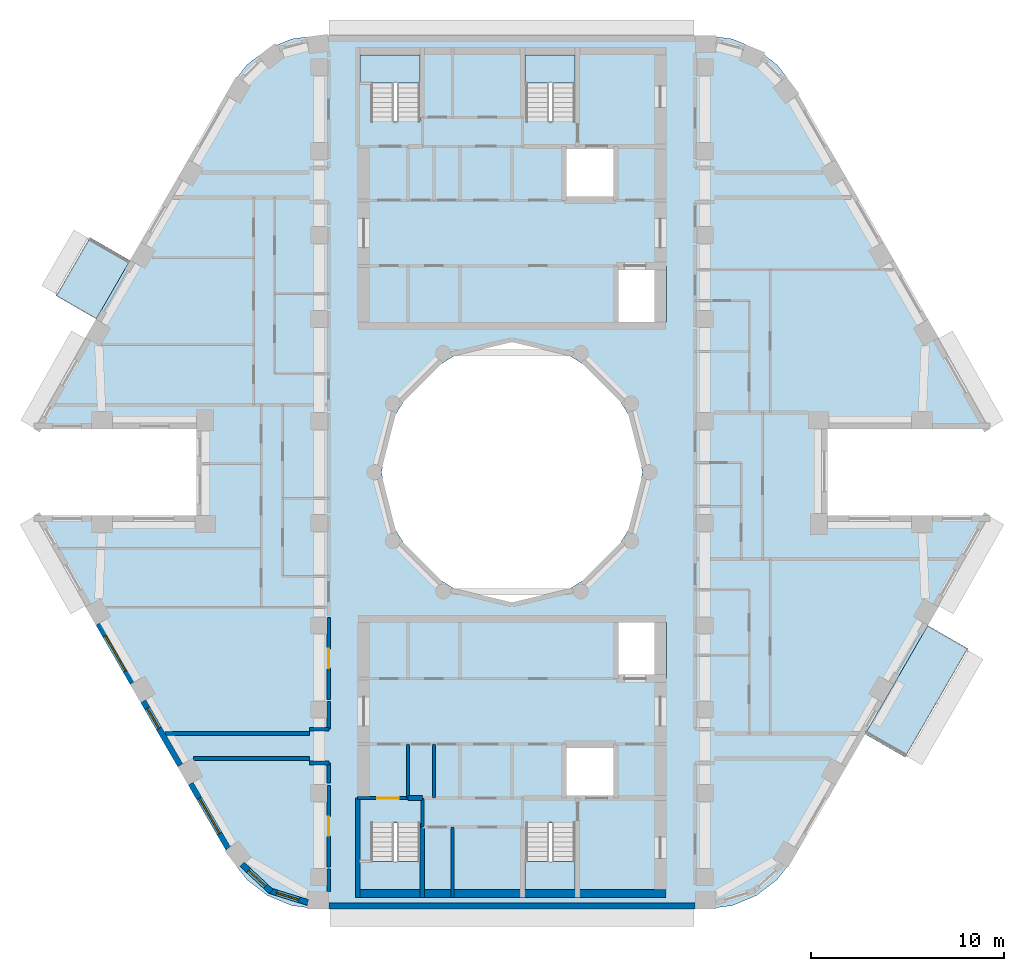
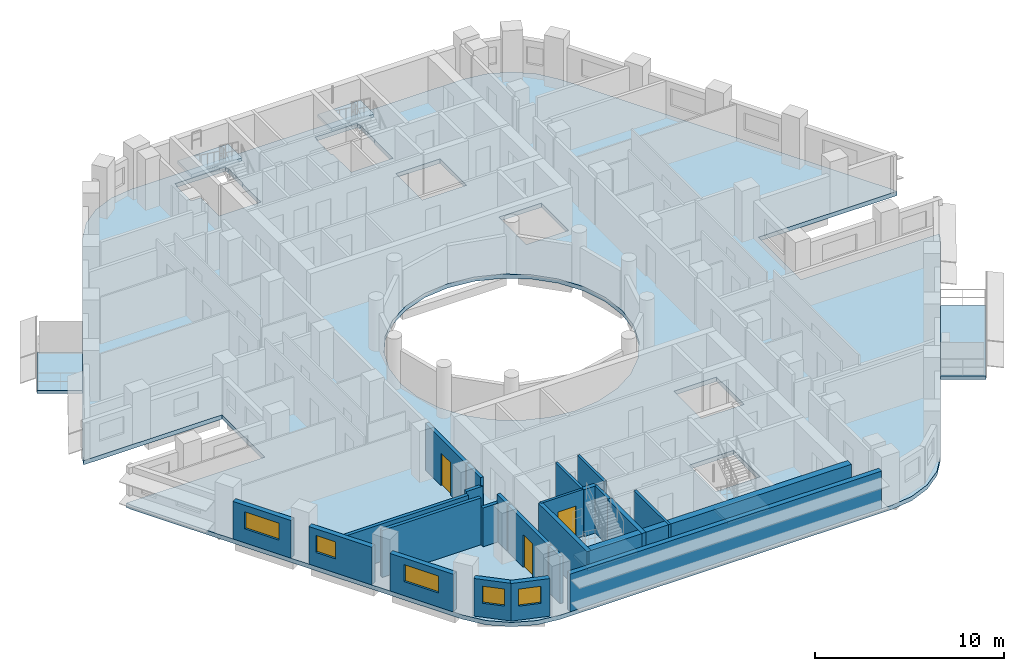
# One storey, part 2 of 14: 24 walls, 7 slabs, 5 windows, 3 doors, 8 openings, 4 elements without a shape of their own.
"""IFC4 building model written with IfcOpenShell, lengths in metres."""

from ifc_helpers import new_model, si_unit, direction, frame, frame_2d, origin, place, context, subcontext, project, spatial, polyline, rectangle, outline, extrude, material, layer, layer_set, type_object, element, fill, aggregate, save


model = new_model("IFC4")

# Units and contexts
model_context = context("Model", 3, precision=1e-05, world=origin(), true_north=direction((0.0, 1.0)))
body_context = subcontext(model_context, "Body", "Model", "MODEL_VIEW")
ifc_project = project(units=[si_unit("LENGTHUNIT", "METRE"), si_unit("AREAUNIT", "SQUARE_METRE"), si_unit("VOLUMEUNIT", "CUBIC_METRE"), si_unit("PLANEANGLEUNIT", "RADIAN"), si_unit("MASSUNIT", "GRAM", prefix="KILO")], contexts=[model_context])

# Site, building, storey
site_placement = place(None, origin())
site = spatial("IfcSite", under=ifc_project, at=site_placement, CompositionType="ELEMENT")
building_placement = place(site_placement, origin())
building = spatial("IfcBuilding", under=site, at=building_placement, Name="Nakaniwa Court", CompositionType="ELEMENT")
storey_placement = place(building_placement, frame((0.0, 0.0, 265.800048828125)))
storey = spatial("IfcBuildingStorey", under=building, at=storey_placement, Name="L70", CompositionType="ELEMENT", Elevation=265.800048828125)

# Slabs
ifc_material_1 = material(Name="Charcoal ceramic paver")
ifc_layer_1 = layer(ifc_material_1, 0.02, Name="Ceramic paver")
ifc_material_2 = material(Name="Cement sand screed")
ifc_layer_2 = layer(ifc_material_2, 0.03, Name="Falls screed")
ifc_material_3 = material(Name="Concrete C40/50", Category="concrete")
ifc_layer_3 = layer(ifc_material_3, 0.15, Name="Balcony slab")
ifc_layer_set_1 = layer_set([ifc_layer_1, ifc_layer_2, ifc_layer_3], Name="Concrete C40/50 balcony slab with ceramic paver finish")
slab_type_1 = type_object("IfcSlabType", Name="Balcony slab 200", PredefinedType="FLOOR", material=ifc_layer_set_1)
slab_1_placement = place(storey_placement, frame((0.0, 0.0, -0.25)))
element("IfcSlab", 1, at=slab_1_placement, inside=storey, type_object=slab_type_1, Name="L70 balcony 01", PredefinedType="FLOOR", context=body_context, shape_type="SweptSolid", body=[
    extrude(outline(polyline([(60.185791015625, 90.981201171875), (58.436279296875, 87.95068359375), (56.35791015625, 89.15087890625), (58.107421875, 92.18115234375), (60.185791015625, 90.981201171875)])), origin(), (0.0, 0.0, 1.0), 0.199951171875),
])
slab_2_placement = place(storey_placement, frame((0.0, 0.0, -0.25)))
element("IfcSlab", 2, at=slab_2_placement, inside=storey, type_object=slab_type_1, Name="L70 balcony 02", PredefinedType="FLOOR", context=body_context, shape_type="SweptSolid", body=[
    extrude(outline(polyline([(98.314208984375, 66.4208984375), (101.563720703125, 72.04931640625), (103.64208984375, 70.84912109375), (100.392578125, 65.220703125), (98.314208984375, 66.4208984375)])), origin(), (0.0, 0.0, 1.0), 0.199951171875),
])
ifc_material_4 = material(Name="Concrete C80/100", Category="concrete")
ifc_layer_4 = layer(ifc_material_4, 0.27490234375)
ifc_layer_set_2 = layer_set([ifc_layer_4], Name="Concrete C80/100")
slab_type_2 = type_object("IfcSlabType", Name="Concrete C80/100 post tensioned floor slab 275", PredefinedType="FLOOR", material=ifc_layer_set_2)
slab_3_placement = place(storey_placement, frame((0.0, 0.0, -0.275146484375)))
element("IfcSlab", 3, at=slab_3_placement, inside=storey, type_object=slab_type_2, Name="FLOOR SLAB", PredefinedType="FLOOR", context=body_context, shape_type="SweptSolid", body=[
    extrude(outline(polyline([(96.349609375, 82.25), (104.7978515625, 82.25), (104.65283203125, 82.60009765625), (94.578125, 100.050048828125), (93.751708984375, 101.126953125), (92.6748046875, 101.953369140625), (91.420654296875, 102.472900390625), (90.07470703125, 102.64990234375), (69.92529296875, 102.64990234375), (68.579345703125, 102.472900390625), (67.3251953125, 101.953369140625), (66.248291015625, 101.126953125), (65.421875, 100.050048828125), (55.34716796875, 82.60009765625), (55.2021484375, 82.25), (63.650390625, 82.25), (63.650390625, 77.75), (55.2021484375, 77.75), (55.34716796875, 77.39990234375), (65.421875, 59.949951171875), (66.248291015625, 58.873046875), (67.3251953125, 58.046630859375), (68.579345703125, 57.527099609375), (69.92529296875, 57.35009765625), (90.07470703125, 57.35009765625), (91.420654296875, 57.527099609375), (92.6748046875, 58.046630859375), (93.751708984375, 58.873046875), (94.578125, 59.949951171875), (104.65283203125, 77.39990234375), (104.7978515625, 77.75), (96.349609375, 77.75), (96.349609375, 82.25)]), holes=[polyline([(81.501953125, 86.580810546875), (80.0, 86.75), (78.498046875, 86.580810546875), (77.0712890625, 86.08154296875), (75.79150390625, 85.27734375), (74.72265625, 84.20849609375), (73.91845703125, 82.9287109375), (73.419189453125, 81.501953125), (73.25, 80.0), (73.419189453125, 78.498046875), (73.91845703125, 77.0712890625), (74.72265625, 75.79150390625), (75.79150390625, 74.72265625), (77.0712890625, 73.91845703125), (78.498046875, 73.419189453125), (80.0, 73.25), (81.501953125, 73.419189453125), (82.9287109375, 73.91845703125), (84.20849609375, 74.72265625), (85.27734375, 75.79150390625), (86.08154296875, 77.0712890625), (86.580810546875, 78.498046875), (86.75, 80.0), (86.580810546875, 81.501953125), (86.08154296875, 82.9287109375), (85.27734375, 84.20849609375), (84.20849609375, 85.27734375), (82.9287109375, 86.08154296875), (81.501953125, 86.580810546875)]), polyline([(72.675048828125, 61.81005859375), (72.675048828125, 59.864990234375), (72.0849609375, 59.864990234375), (72.0849609375, 58.31005859375), (72.125, 58.31005859375), (72.125, 58.074951171875), (75.22509765625, 58.074951171875), (75.22509765625, 58.31005859375), (75.264892578125, 58.31005859375), (75.264892578125, 59.864990234375), (75.22509765625, 59.864990234375), (75.22509765625, 61.81005859375), (72.675048828125, 61.81005859375)]), polyline([(83.27490234375, 61.81005859375), (80.72509765625, 61.81005859375), (80.72509765625, 59.864990234375), (80.635009765625, 59.864990234375), (80.635009765625, 58.31005859375), (80.675048828125, 58.31005859375), (80.675048828125, 58.074951171875), (83.27490234375, 58.074951171875), (83.27490234375, 58.31005859375), (83.31494140625, 58.31005859375), (83.31494140625, 59.864990234375), (83.27490234375, 59.864990234375), (83.27490234375, 61.81005859375)]), polyline([(75.264892578125, 101.68994140625), (75.22509765625, 101.68994140625), (75.22509765625, 101.925048828125), (72.125, 101.925048828125), (72.125, 101.68994140625), (72.0849609375, 101.68994140625), (72.0849609375, 100.135009765625), (72.675048828125, 100.135009765625), (72.675048828125, 98.18994140625), (75.22509765625, 98.18994140625), (75.22509765625, 100.135009765625), (75.264892578125, 100.135009765625), (75.264892578125, 101.68994140625)]), polyline([(83.31494140625, 100.135009765625), (83.31494140625, 101.68994140625), (83.27490234375, 101.68994140625), (83.27490234375, 101.925048828125), (80.675048828125, 101.925048828125), (80.675048828125, 101.68994140625), (80.635009765625, 101.68994140625), (80.635009765625, 100.135009765625), (80.72509765625, 100.135009765625), (80.72509765625, 98.18994140625), (83.27490234375, 98.18994140625), (83.27490234375, 100.135009765625), (83.31494140625, 100.135009765625)]), polyline([(85.39990234375, 65.89990234375), (82.699951171875, 65.89990234375), (82.699951171875, 63.10009765625), (85.39990234375, 63.10009765625), (85.39990234375, 65.89990234375)]), polyline([(88.0, 72.199951171875), (85.39990234375, 72.199951171875), (85.39990234375, 69.300048828125), (88.0, 69.300048828125), (88.0, 72.199951171875)]), polyline([(85.39990234375, 90.699951171875), (85.39990234375, 87.800048828125), (88.0, 87.800048828125), (88.0, 90.699951171875), (85.39990234375, 90.699951171875)]), polyline([(85.39990234375, 96.89990234375), (82.699951171875, 96.89990234375), (82.699951171875, 94.10009765625), (85.39990234375, 94.10009765625), (85.39990234375, 96.89990234375)])]), origin(), (0.0, 0.0, 1.0), 0.275146484375),
])

# Stair, slab
stair_type = type_object("IfcStairType", Name="Dog leg stair 1200 wide 18 risers", PredefinedType="HALF_TURN_STAIR", material=ifc_material_4)
stair_1_placement = place(storey_placement, origin())
stair_1 = element("IfcStair", 4, at=stair_1_placement, inside=storey, type_object=stair_type, Name="L70 Stair ST1", PredefinedType="HALF_TURN_STAIR")
ifc_layer_5 = layer(ifc_material_4, 0.199951171875)
ifc_layer_set_3 = layer_set([ifc_layer_5], Name="Concrete C80/100")
slab_type_3 = type_object("IfcSlabType", Name="Stair landing concrete", PredefinedType="LANDING", material=ifc_layer_set_3)
slab_4_placement = place(storey_placement, frame((0.0, 0.0, 1.449951171875)))
slab_4 = element("IfcSlab", 5, at=slab_4_placement, type_object=slab_type_3, Name="ST1 landing 1", PredefinedType="LANDING", context=body_context, shape_type="SweptSolid", body=[
    extrude(outline(polyline([(75.22509765625, 100.175048828125), (75.22509765625, 101.64990234375), (72.125, 101.64990234375), (72.125, 100.175048828125), (75.22509765625, 100.175048828125)])), origin(), (0.0, 0.0, 1.0), 0.199951171875),
])
aggregate(stair_1, [slab_4])

stair_2_placement = place(storey_placement, origin())
stair_2 = element("IfcStair", 6, at=stair_2_placement, inside=storey, type_object=stair_type, Name="L70 Stair ST2", PredefinedType="HALF_TURN_STAIR")
slab_5_placement = place(storey_placement, frame((0.0, 0.0, 1.449951171875)))
slab_5 = element("IfcSlab", 7, at=slab_5_placement, type_object=slab_type_3, Name="ST2 landing 1", PredefinedType="LANDING", context=body_context, shape_type="SweptSolid", body=[
    extrude(outline(polyline([(83.27490234375, 100.175048828125), (83.27490234375, 101.64990234375), (80.675048828125, 101.64990234375), (80.675048828125, 100.175048828125), (83.27490234375, 100.175048828125)])), origin(), (0.0, 0.0, 1.0), 0.199951171875),
])
aggregate(stair_2, [slab_5])

stair_3_placement = place(storey_placement, origin())
stair_3 = element("IfcStair", 8, at=stair_3_placement, inside=storey, type_object=stair_type, Name="L70 Stair ST3", PredefinedType="HALF_TURN_STAIR")
slab_6_placement = place(storey_placement, frame((0.0, 0.0, 1.449951171875)))
slab_6 = element("IfcSlab", 9, at=slab_6_placement, type_object=slab_type_3, Name="ST3 landing 1", PredefinedType="LANDING", context=body_context, shape_type="SweptSolid", body=[
    extrude(outline(polyline([(75.22509765625, 58.35009765625), (75.22509765625, 59.824951171875), (72.125, 59.824951171875), (72.125, 58.35009765625), (75.22509765625, 58.35009765625)])), origin(), (0.0, 0.0, 1.0), 0.199951171875),
])
aggregate(stair_3, [slab_6])

stair_4_placement = place(storey_placement, origin())
stair_4 = element("IfcStair", 10, at=stair_4_placement, inside=storey, type_object=stair_type, Name="L70 Stair ST4", PredefinedType="HALF_TURN_STAIR")
slab_7_placement = place(storey_placement, frame((0.0, 0.0, 1.449951171875)))
slab_7 = element("IfcSlab", 11, at=slab_7_placement, type_object=slab_type_3, Name="ST4 landing 1", PredefinedType="LANDING", context=body_context, shape_type="SweptSolid", body=[
    extrude(outline(polyline([(83.27490234375, 58.35009765625), (83.27490234375, 59.824951171875), (80.675048828125, 59.824951171875), (80.675048828125, 58.35009765625), (83.27490234375, 58.35009765625)])), origin(), (0.0, 0.0, 1.0), 0.199951171875),
])
aggregate(stair_4, [slab_7])

# Walls
ifc_material_5 = material(Name="Acoustic double stud partition")
ifc_layer_6 = layer(ifc_material_5, 0.199951171875)
ifc_layer_set_4 = layer_set([ifc_layer_6], Name="Acoustic double stud partition")
wall_type_1 = type_object("IfcWallType", Name="Acoustic double stud partition 200", PredefinedType="PARTITIONING", material=ifc_layer_set_4)
wall_1_placement = place(storey_placement, frame((69.5, 66.675048828125, 0.0), z_axis=(0.0, 0.0, 1.0), x_axis=(1.0, 0.0, 0.0)))
element("IfcWall", 12, at=wall_1_placement, inside=storey, type_object=wall_type_1, Name="Partition PW-076", PredefinedType="PARTITIONING", context=body_context, shape_type="SweptSolid", body=[
    extrude(rectangle(XDim=1.0, YDim=0.199951171875, at=frame_2d((0.5, 0.0))), origin(), (0.0, 0.0, 1.0), 2.5048828125),
])
wall_2_placement = place(storey_placement, frame((62.015380859375, 66.449951171875, 0.0), z_axis=(0.0, 0.0, 1.0), x_axis=(1.0, 0.0, 0.0)))
element("IfcWall", 13, at=wall_2_placement, inside=storey, type_object=wall_type_1, Name="Partition PW-078", PredefinedType="PARTITIONING", context=body_context, shape_type="SweptSolid", body=[
    extrude(rectangle(XDim=7.484619140625, YDim=0.199951171875, at=frame_2d((3.7421875, 0.0))), origin(), (0.0, 0.0, 1.0), 2.405029296875),
])
wall_3_placement = place(storey_placement, frame((63.47900390625, 65.14990234375, 0.0), z_axis=(0.0, 0.0, 1.0), x_axis=(1.0, 0.0, 0.0)))
element("IfcWall", 14, at=wall_3_placement, inside=storey, type_object=wall_type_1, Name="Partition PW-080", PredefinedType="PARTITIONING", context=body_context, shape_type="SweptSolid", body=[
    extrude(rectangle(XDim=6.02099609375, YDim=0.199951171875, at=frame_2d((3.010498046875, 0.0))), origin(), (0.0, 0.0, 1.0), 3.02490234375),
])
wall_4_placement = place(storey_placement, frame((69.5, 64.925048828125, 0.0), z_axis=(0.0, 0.0, 1.0), x_axis=(1.0, 0.0, 0.0)))
element("IfcWall", 15, at=wall_4_placement, inside=storey, type_object=wall_type_1, Name="Partition PW-082", PredefinedType="PARTITIONING", context=body_context, shape_type="SweptSolid", body=[
    extrude(rectangle(XDim=1.0, YDim=0.199951171875, at=frame_2d((0.5, 0.0))), origin(), (0.0, 0.0, 1.0), 2.5048828125),
])
wall_5_placement = place(storey_placement, frame((70.5, 58.26708984375, 0.0), z_axis=(0.0, 0.0, 1.0), x_axis=(0.0, 1.0, 0.0)))
element("IfcWall", 16, at=wall_5_placement, inside=storey, type_object=wall_type_1, Name="Partition PW-084", PredefinedType="PARTITIONING", context=body_context, shape_type="SweptSolid", body=[
    extrude(rectangle(XDim=1.14599609375, YDim=0.199951171875, at=frame_2d((0.572998046875, 0.0))), origin(), (0.0, 0.0, 1.0), 3.02490234375),
])

# Wall, opening, door
wall_6_placement = place(storey_placement, frame((70.5, 59.527099609375, 0.0), z_axis=(0.0, 0.0, 1.0), x_axis=(0.0, 1.0, 0.0)))
wall_6 = element("IfcWall", 17, at=wall_6_placement, inside=storey, type_object=wall_type_1, Name="Partition PW-085", PredefinedType="PARTITIONING", context=body_context, shape_type="SweptSolid", body=[
    extrude(rectangle(XDim=4.23583984375, YDim=0.199951171875, at=frame_2d((2.117919921875, 0.0))), origin(), (0.0, 0.0, 1.0), 3.02490234375),
])
opening_1_placement = place(wall_6_placement, frame((1.617919921875, 0.0, 0.0)))
opening_1 = element("IfcOpeningElement", 18, at=opening_1_placement, cuts=wall_6, Name="Opening D-02-06", PredefinedType="OPENING", context=body_context, shape_type="SweptSolid", body=[
    extrude(rectangle(XDim=1.0, YDim=2.10009765625, at=frame_2d((0.5, 1.050048828125))), frame((0.0, 0.10986328125, 0.0), z_axis=(0.0, -1.0, 0.0), x_axis=(1.0, 0.0, 0.0)), (0.0, 0.0, 1.0), 0.219970703125),
])
ifc_material_6 = material(Name="Solid core timber door set, black veneer", Category="wood")
door_type_1 = type_object("IfcDoorType", Name="Internal door 1000", OperationType="NOTDEFINED", PredefinedType="DOOR", material=ifc_material_6)
door_1_placement = place(opening_1_placement, origin())
door_1 = element("IfcDoor", 19, at=door_1_placement, inside=storey, type_object=door_type_1, Name="Door D-02-06 L70-058", OperationType="SINGLE_SWING_LEFT", OverallHeight=2.10009765625, OverallWidth=1.0, PredefinedType="DOOR", context=body_context, shape_type="SweptSolid", body=[
    extrude(rectangle(XDim=1.0, YDim=2.10009765625, at=frame_2d((0.5, 1.050048828125))), frame((0.0, 0.02490234375, 0.0), z_axis=(0.0, -1.0, 0.0), x_axis=(1.0, 0.0, 0.0)), (0.0, 0.0, 1.0), 0.050048828125),
])
fill(opening_1, door_1)

# Walls
wall_7_placement = place(storey_placement, frame((70.5, 63.876953125, 0.0), z_axis=(0.0, 0.0, 1.0), x_axis=(0.0, 1.0, 0.0)))
element("IfcWall", 20, at=wall_7_placement, inside=storey, type_object=wall_type_1, Name="Partition PW-086", PredefinedType="PARTITIONING", context=body_context, shape_type="SweptSolid", body=[
    extrude(rectangle(XDim=1.051025390625, YDim=0.199951171875, at=frame_2d((0.525390625, 0.0))), origin(), (0.0, 0.0, 1.0), 3.02490234375),
])
wall_8_placement = place(storey_placement, frame((70.5, 66.672119140625, 0.0), z_axis=(0.0, 0.0, 1.0), x_axis=(0.0, 1.0, 0.0)))
element("IfcWall", 21, at=wall_8_placement, inside=storey, type_object=wall_type_1, Name="Partition PW-087", PredefinedType="PARTITIONING", context=body_context, shape_type="SweptSolid", body=[
    extrude(rectangle(XDim=1.44091796875, YDim=0.199951171875, at=frame_2d((0.720458984375, 0.0))), origin(), (0.0, 0.0, 1.0), 3.02490234375),
])

# Wall, opening, door
wall_9_placement = place(storey_placement, frame((70.5, 68.22705078125, 0.0), z_axis=(0.0, 0.0, 1.0), x_axis=(0.0, 1.0, 0.0)))
wall_9 = element("IfcWall", 22, at=wall_9_placement, inside=storey, type_object=wall_type_1, Name="Partition PW-088", PredefinedType="PARTITIONING", context=body_context, shape_type="SweptSolid", body=[
    extrude(rectangle(XDim=4.23583984375, YDim=0.199951171875, at=frame_2d((2.117919921875, 0.0))), origin(), (0.0, 0.0, 1.0), 3.02490234375),
])
opening_2_placement = place(wall_9_placement, frame((1.617919921875, 0.0, 0.0)))
opening_2 = element("IfcOpeningElement", 23, at=opening_2_placement, cuts=wall_9, Name="Opening D-02-01", PredefinedType="OPENING", context=body_context, shape_type="SweptSolid", body=[
    extrude(rectangle(XDim=1.0, YDim=2.10009765625, at=frame_2d((0.5, 1.050048828125))), frame((0.0, 0.10986328125, 0.0), z_axis=(0.0, -1.0, 0.0), x_axis=(1.0, 0.0, 0.0)), (0.0, 0.0, 1.0), 0.219970703125),
])
door_2_placement = place(opening_2_placement, origin())
door_2 = element("IfcDoor", 24, at=door_2_placement, inside=storey, type_object=door_type_1, Name="Door D-02-01 L70-041", OperationType="SINGLE_SWING_RIGHT", OverallHeight=2.10009765625, OverallWidth=1.0, PredefinedType="DOOR", context=body_context, shape_type="SweptSolid", body=[
    extrude(rectangle(XDim=1.0, YDim=2.10009765625, at=frame_2d((0.5, 1.050048828125))), frame((0.0, 0.02490234375, 0.0), z_axis=(0.0, -1.0, 0.0), x_axis=(1.0, 0.0, 0.0)), (0.0, 0.0, 1.0), 0.050048828125),
])
fill(opening_2, door_2)

# Wall, opening, window
ifc_material_7 = material(Name="Charcoal ceramic cladding")
ifc_layer_7 = layer(ifc_material_7, 0.02, Name="Ceramic cladding")
ifc_material_8 = material(Name="Ventilated air cavity")
ifc_layer_8 = layer(ifc_material_8, 0.04, ventilated=True, Name="Ventilated cavity")
ifc_material_9 = material(Name="Mineral wool insulation")
ifc_layer_9 = layer(ifc_material_9, 0.1, Name="Insulation")
ifc_material_10 = material(Name="Cement bonded sheathing board")
ifc_layer_10 = layer(ifc_material_10, 0.012, Name="Sheathing")
ifc_material_11 = material(Name="Cold-formed galvanised stud frame with mineral wool infill")
ifc_layer_11 = layer(ifc_material_11, 0.1, Name="Stud frame")
ifc_material_12 = material(Name="Fire-rated gypsum plasterboard lining")
ifc_layer_12 = layer(ifc_material_12, 0.028, Name="Lining")
ifc_layer_set_5 = layer_set([ifc_layer_7, ifc_layer_8, ifc_layer_9, ifc_layer_10, ifc_layer_11, ifc_layer_12], Name="Charcoal ceramic faced external wall system")
wall_type_2 = type_object("IfcWallType", Name="Black ceramic faced external wall 300", PredefinedType="SOLIDWALL", material=ifc_layer_set_5)
wall_10_placement = place(storey_placement, frame((58.55419921875, 72.14501953125, 0.0), z_axis=(0.0, 0.0, 1.0), x_axis=(0.500010404316, -0.866019396766, 0.0)))
wall_10 = element("IfcWall", 25, at=wall_10_placement, inside=storey, type_object=wall_type_2, Name="L70 external wall 21", PredefinedType="SOLIDWALL", context=body_context, shape_type="SweptSolid", body=[
    extrude(rectangle(XDim=3.54736328125, YDim=0.300048828125, at=frame_2d((1.773681640625, 0.0))), origin(), (0.0, 0.0, 1.0), 2.425048828125),
])
opening_3_placement = place(wall_10_placement, frame((0.723388671875, 0.0, 0.89990234375)))
opening_3 = element("IfcOpeningElement", 26, at=opening_3_placement, cuts=wall_10, Name="Opening W7.21", PredefinedType="OPENING", context=body_context, shape_type="SweptSolid", body=[
    extrude(rectangle(XDim=2.10009765625, YDim=1.10009765625, at=frame_2d((1.050048828125, 0.550048828125))), frame((0.0, 0.159912109375, 0.0), z_axis=(0.0, -1.0, 0.0), x_axis=(1.0, 0.0, 0.0)), (0.0, 0.0, 1.0), 0.320068359375),
])
ifc_material_13 = material(Name="Black anodised aluminium frame with dark low-E laminated double glazing", Category="aluminium")
window_type_1 = type_object("IfcWindowType", Name="Dark glass window 2100x1100 sill 900", PartitioningType="SINGLE_PANEL", PredefinedType="WINDOW", material=ifc_material_13)
window_1_placement = place(opening_3_placement, origin())
window_1 = element("IfcWindow", 27, at=window_1_placement, inside=storey, type_object=window_type_1, Name="L70 habitable room window 21-0", OverallHeight=1.10009765625, OverallWidth=2.10009765625, PartitioningType="SINGLE_PANEL", PredefinedType="WINDOW", context=body_context, shape_type="SweptSolid", body=[
    extrude(rectangle(XDim=2.10009765625, YDim=1.10009765625, at=frame_2d((1.050048828125, 0.550048828125))), frame((0.0, 0.030029296875, 0.0), z_axis=(0.0, -1.0, 0.0), x_axis=(1.0, 0.0, 0.0)), (0.0, 0.0, 1.0), 0.06005859375),
])
fill(opening_3, window_1)

wall_11_placement = place(storey_placement, frame((60.873779296875, 68.12744140625, 0.0), z_axis=(0.0, 0.0, 1.0), x_axis=(0.499984490703, -0.866034357896, 0.0)))
wall_11 = element("IfcWall", 28, at=wall_11_placement, inside=storey, type_object=wall_type_2, Name="L70 external wall 22", PredefinedType="SOLIDWALL", context=body_context, shape_type="SweptSolid", body=[
    extrude(rectangle(XDim=3.84423828125, YDim=0.300048828125, at=frame_2d((1.922119140625, 0.0))), origin(), (0.0, 0.0, 1.0), 2.425048828125),
])
opening_4_placement = place(wall_11_placement, frame((0.429443359375, 0.0, 0.89990234375)))
opening_4 = element("IfcOpeningElement", 29, at=opening_4_placement, cuts=wall_11, Name="Opening W6.22", PredefinedType="OPENING", context=body_context, shape_type="SweptSolid", body=[
    extrude(rectangle(XDim=1.199951171875, YDim=1.10009765625, at=frame_2d((0.60009765625, 0.550048828125))), frame((0.0, 0.159912109375, 0.0), z_axis=(0.0, -1.0, 0.0), x_axis=(1.0, 0.0, 0.0)), (0.0, 0.0, 1.0), 0.320068359375),
])
window_type_2 = type_object("IfcWindowType", Name="Dark glass window 1200x1100 sill 900", PartitioningType="SINGLE_PANEL", PredefinedType="WINDOW", material=ifc_material_13)
window_2_placement = place(opening_4_placement, origin())
window_2 = element("IfcWindow", 30, at=window_2_placement, inside=storey, type_object=window_type_2, Name="L70 habitable room window 22-0", OverallHeight=1.10009765625, OverallWidth=1.199951171875, PartitioningType="SINGLE_PANEL", PredefinedType="WINDOW", context=body_context, shape_type="SweptSolid", body=[
    extrude(rectangle(XDim=1.199951171875, YDim=1.10009765625, at=frame_2d((0.60009765625, 0.550048828125))), frame((0.0, 0.030029296875, 0.0), z_axis=(0.0, -1.0, 0.0), x_axis=(1.0, 0.0, 0.0)), (0.0, 0.0, 1.0), 0.06005859375),
])
fill(opening_4, window_2)

wall_12_placement = place(storey_placement, frame((63.342041015625, 63.8525390625, 0.0), z_axis=(0.0, 0.0, 1.0), x_axis=(0.500011218404, -0.866018926739, 0.0)))
wall_12 = element("IfcWall", 31, at=wall_12_placement, inside=storey, type_object=wall_type_2, Name="L70 external wall 23", PredefinedType="SOLIDWALL", context=body_context, shape_type="SweptSolid", body=[
    extrude(rectangle(XDim=3.87890625, YDim=0.300048828125, at=frame_2d((1.939453125, 0.0))), origin(), (0.0, 0.0, 1.0), 2.425048828125),
])
opening_5_placement = place(wall_12_placement, frame((0.878173828125, 0.0, 0.89990234375)))
opening_5 = element("IfcOpeningElement", 32, at=opening_5_placement, cuts=wall_12, Name="Opening W7.23", PredefinedType="OPENING", context=body_context, shape_type="SweptSolid", body=[
    extrude(rectangle(XDim=2.10009765625, YDim=1.10009765625, at=frame_2d((1.050048828125, 0.550048828125))), frame((0.0, 0.159912109375, 0.0), z_axis=(0.0, -1.0, 0.0), x_axis=(1.0, 0.0, 0.0)), (0.0, 0.0, 1.0), 0.320068359375),
])
window_3_placement = place(opening_5_placement, origin())
window_3 = element("IfcWindow", 33, at=window_3_placement, inside=storey, type_object=window_type_1, Name="L70 habitable room window 23-0", OverallHeight=1.10009765625, OverallWidth=2.10009765625, PartitioningType="SINGLE_PANEL", PredefinedType="WINDOW", context=body_context, shape_type="SweptSolid", body=[
    extrude(rectangle(XDim=2.10009765625, YDim=1.10009765625, at=frame_2d((1.050048828125, 0.550048828125))), frame((0.0, 0.030029296875, 0.0), z_axis=(0.0, -1.0, 0.0), x_axis=(1.0, 0.0, 0.0)), (0.0, 0.0, 1.0), 0.06005859375),
])
fill(opening_5, window_3)

wall_13_placement = place(storey_placement, frame((65.99609375, 59.665283203125, 0.0), z_axis=(0.0, 0.0, 1.0), x_axis=(0.731942518471, -0.6813663843, 0.0)))
wall_13 = element("IfcWall", 34, at=wall_13_placement, inside=storey, type_object=wall_type_2, Name="L70 external wall 24", PredefinedType="SOLIDWALL", context=body_context, shape_type="SweptSolid", body=[
    extrude(rectangle(XDim=2.07568359375, YDim=0.300048828125, at=frame_2d((1.037841796875, 0.0))), origin(), (0.0, 0.0, 1.0), 2.425048828125),
])
opening_6_placement = place(wall_13_placement, frame((0.464111328125, 0.0, 0.89990234375)))
opening_6 = element("IfcOpeningElement", 35, at=opening_6_placement, cuts=wall_13, Name="Opening W6.24", PredefinedType="OPENING", context=body_context, shape_type="SweptSolid", body=[
    extrude(rectangle(XDim=1.199951171875, YDim=1.10009765625, at=frame_2d((0.60009765625, 0.550048828125))), frame((0.0, 0.159912109375, 0.0), z_axis=(0.0, -1.0, 0.0), x_axis=(1.0, 0.0, 0.0)), (0.0, 0.0, 1.0), 0.320068359375),
])
window_4_placement = place(opening_6_placement, origin())
window_4 = element("IfcWindow", 36, at=window_4_placement, inside=storey, type_object=window_type_2, Name="L70 habitable room window 24-0", OverallHeight=1.10009765625, OverallWidth=1.199951171875, PartitioningType="SINGLE_PANEL", PredefinedType="WINDOW", context=body_context, shape_type="SweptSolid", body=[
    extrude(rectangle(XDim=1.199951171875, YDim=1.10009765625, at=frame_2d((0.60009765625, 0.550048828125))), frame((0.0, 0.030029296875, 0.0), z_axis=(0.0, -1.0, 0.0), x_axis=(1.0, 0.0, 0.0)), (0.0, 0.0, 1.0), 0.06005859375),
])
fill(opening_6, window_4)

wall_14_placement = place(storey_placement, frame((67.406494140625, 58.3076171875, 0.0), z_axis=(0.0, 0.0, 1.0), x_axis=(0.954761314907, -0.297373219301, 0.0)))
wall_14 = element("IfcWall", 37, at=wall_14_placement, inside=storey, type_object=wall_type_2, Name="L70 external wall 25", PredefinedType="SOLIDWALL", context=body_context, shape_type="SweptSolid", body=[
    extrude(rectangle(XDim=2.096923828125, YDim=0.300048828125, at=frame_2d((1.04833984375, 0.0))), origin(), (0.0, 0.0, 1.0), 2.425048828125),
])
opening_7_placement = place(wall_14_placement, frame((0.409423828125, 0.0, 0.89990234375)))
opening_7 = element("IfcOpeningElement", 38, at=opening_7_placement, cuts=wall_14, Name="Opening W6.25", PredefinedType="OPENING", context=body_context, shape_type="SweptSolid", body=[
    extrude(rectangle(XDim=1.199951171875, YDim=1.10009765625, at=frame_2d((0.60009765625, 0.550048828125))), frame((0.0, 0.159912109375, 0.0), z_axis=(0.0, -1.0, 0.0), x_axis=(1.0, 0.0, 0.0)), (0.0, 0.0, 1.0), 0.320068359375),
])
window_5_placement = place(opening_7_placement, origin())
window_5 = element("IfcWindow", 39, at=window_5_placement, inside=storey, type_object=window_type_2, Name="L70 habitable room window 25-0", OverallHeight=1.10009765625, OverallWidth=1.199951171875, PartitioningType="SINGLE_PANEL", PredefinedType="WINDOW", context=body_context, shape_type="SweptSolid", body=[
    extrude(rectangle(XDim=1.199951171875, YDim=1.10009765625, at=frame_2d((0.60009765625, 0.550048828125))), frame((0.0, 0.030029296875, 0.0), z_axis=(0.0, -1.0, 0.0), x_axis=(1.0, 0.0, 0.0)), (0.0, 0.0, 1.0), 0.06005859375),
])
fill(opening_7, window_5)

# Walls
wall_15_placement = place(storey_placement, frame((70.500732421875, 57.5, 0.0), z_axis=(0.0, 0.0, 1.0), x_axis=(1.0, 0.0, 0.0)))
element("IfcWall", 40, at=wall_15_placement, inside=storey, type_object=wall_type_2, Name="L70 external wall 26", PredefinedType="SOLIDWALL", context=body_context, shape_type="SweptSolid", body=[
    extrude(rectangle(XDim=18.99267578125, YDim=0.300048828125, at=frame_2d((9.496337890625, 0.0))), origin(), (0.0, 0.0, 1.0), 2.425048828125),
])
ifc_material_14 = material(Name="Blockwork partition", Category="masonry")
ifc_layer_13 = layer(ifc_material_14, 0.14990234375)
ifc_layer_set_6 = layer_set([ifc_layer_13], Name="Blockwork partition")
wall_type_3 = type_object("IfcWallType", Name="Blockwork partition 150", PredefinedType="PARTITIONING", material=ifc_layer_set_6)
for number, where, z_axis, x_axis, name in (
    (41, (74.60009765625, 63.10009765625, 0.0), (0.0, 0.0, 1.0), (0.0, 1.0, 0.0), "Partition PW-029"),
    (42, (75.949951171875, 63.10009765625, 0.0), (0.0, 0.0, 1.0), (0.0, 1.0, 0.0), "Partition PW-043"),
):
    element("IfcWall", number, at=place(storey_placement, frame(where, z_axis=z_axis, x_axis=x_axis)), inside=storey, type_object=wall_type_3, Name=name, PredefinedType="PARTITIONING", context=body_context, shape_type="SweptSolid", body=[
        extrude(rectangle(XDim=2.7998046875, YDim=0.14990234375, at=frame_2d((1.39990234375, 0.0))), origin(), (0.0, 0.0, 1.0), 3.02490234375),
    ])
wall_16_placement = place(storey_placement, frame((76.909912109375, 57.949951171875, 0.0), z_axis=(0.0, 0.0, 1.0), x_axis=(0.0, 1.0, 0.0)))
element("IfcWall", 43, at=wall_16_placement, inside=storey, type_object=wall_type_3, Name="Partition PW-056", PredefinedType="PARTITIONING", context=body_context, shape_type="SweptSolid", body=[
    extrude(rectangle(XDim=3.650146484375, YDim=0.14990234375, at=frame_2d((1.8251953125, 0.0))), origin(), (0.0, 0.0, 1.0), 3.02490234375),
])

# Wall, opening, door
ifc_layer_14 = layer(ifc_material_4, 0.14990234375)
ifc_layer_set_7 = layer_set([ifc_layer_14], Name="Concrete C80/100")
wall_type_4 = type_object("IfcWallType", Name="Concrete core wall 150 C80", PredefinedType="SHEAR", material=ifc_layer_set_7)
wall_17_placement = place(storey_placement, frame((72.0, 63.10009765625, -0.275146484375), z_axis=(0.0, 0.0, 1.0), x_axis=(1.0, 0.0, 0.0)))
wall_17 = element("IfcWall", 44, at=wall_17_placement, inside=storey, type_object=wall_type_4, Name="Core wall SW-42", PredefinedType="SHEAR", context=body_context, shape_type="SweptSolid", body=[
    extrude(rectangle(XDim=2.60009765625, YDim=0.14990234375, at=frame_2d((1.300048828125, 0.0))), origin(), (0.0, 0.0, 1.0), 3.300048828125),
])
opening_8_placement = place(wall_17_placement, frame((1.02001953125, 0.0, 0.27490234375)))
opening_8 = element("IfcOpeningElement", 45, at=opening_8_placement, cuts=wall_17, Name="Opening D-09-02", PredefinedType="OPENING", context=body_context, shape_type="SweptSolid", body=[
    extrude(rectangle(XDim=1.10009765625, YDim=2.10009765625, at=frame_2d((0.550048828125, 1.050048828125))), frame((0.0, 0.0849609375, 0.0), z_axis=(0.0, -1.0, 0.0), x_axis=(1.0, 0.0, 0.0)), (0.0, 0.0, 1.0), 0.169921875),
])
ifc_material_15 = material(Name="Fire rated steel door set", Category="steel")
door_type_2 = type_object("IfcDoorType", Name="Stair door 1100", OperationType="NOTDEFINED", PredefinedType="DOOR", material=ifc_material_15)
door_3_placement = place(opening_8_placement, origin())
door_3 = element("IfcDoor", 46, at=door_3_placement, inside=storey, type_object=door_type_2, Name="Door D-09-02 L70-027", OperationType="SINGLE_SWING_LEFT", OverallHeight=2.10009765625, OverallWidth=1.10009765625, PredefinedType="DOOR", context=body_context, shape_type="SweptSolid", body=[
    extrude(rectangle(XDim=1.10009765625, YDim=2.10009765625, at=frame_2d((0.550048828125, 1.050048828125))), frame((0.0, 0.02490234375, 0.0), z_axis=(0.0, -1.0, 0.0), x_axis=(1.0, 0.0, 0.0)), (0.0, 0.0, 1.0), 0.050048828125),
])
fill(opening_8, door_3)

# Walls
wall_18_placement = place(storey_placement, frame((75.35009765625, 61.596923828125, -0.275146484375), z_axis=(0.0, 0.0, 1.0), x_axis=(0.0, 1.0, 0.0)))
element("IfcWall", 47, at=wall_18_placement, inside=storey, type_object=wall_type_4, Name="Core wall SW-49", PredefinedType="SHEAR", context=body_context, shape_type="SweptSolid", body=[
    extrude(rectangle(XDim=1.503173828125, YDim=0.14990234375, at=frame_2d((0.75146484375, 0.0))), origin(), (0.0, 0.0, 1.0), 3.300048828125),
])
ifc_layer_15 = layer(ifc_material_4, 0.25)
ifc_layer_set_8 = layer_set([ifc_layer_15], Name="Concrete C80/100")
wall_type_5 = type_object("IfcWallType", Name="Concrete core wall 250 C80", PredefinedType="SHEAR", material=ifc_layer_set_8)
wall_19_placement = place(storey_placement, frame((72.0, 57.949951171875, -0.275146484375), z_axis=(0.0, 0.0, 1.0), x_axis=(0.0, 1.0, 0.0)))
element("IfcWall", 48, at=wall_19_placement, inside=storey, type_object=wall_type_5, Name="Core wall SW-51", PredefinedType="SHEAR", context=body_context, shape_type="SweptSolid", body=[
    extrude(rectangle(XDim=5.150146484375, YDim=0.25, at=frame_2d((2.5751953125, 0.0))), origin(), (0.0, 0.0, 1.0), 3.300048828125),
])
ifc_layer_16 = layer(ifc_material_4, 0.39990234375)
ifc_layer_set_9 = layer_set([ifc_layer_16], Name="Concrete C80/100")
wall_type_6 = type_object("IfcWallType", Name="Concrete core wall 400 C80", PredefinedType="SHEAR", material=ifc_layer_set_9)
wall_20_placement = place(storey_placement, frame((72.00390625, 58.14990234375, -0.275146484375), z_axis=(0.0, 0.0, 1.0), x_axis=(1.0, 0.0, 0.0)))
element("IfcWall", 49, at=wall_20_placement, inside=storey, type_object=wall_type_6, Name="Core wall SW-129", PredefinedType="SHEAR", context=body_context, shape_type="SweptSolid", body=[
    extrude(rectangle(XDim=15.9921875, YDim=0.39990234375, at=frame_2d((7.99609375, 0.0))), origin(), (0.0, 0.0, 1.0), 3.300048828125),
])
ifc_layer_17 = layer(ifc_material_4, 0.25)
ifc_layer_set_10 = layer_set([ifc_layer_17], Name="Concrete C80/100")
wall_type_7 = type_object("IfcWallType", Name="Concrete shaft wall 250 C80", PredefinedType="SHEAR", material=ifc_layer_set_10)
wall_21_placement = place(storey_placement, frame((74.60009765625, 63.10009765625, -0.275146484375), z_axis=(0.0, 0.0, 1.0), x_axis=(1.0, 0.0, 0.0)))
element("IfcWall", 50, at=wall_21_placement, inside=storey, type_object=wall_type_7, Name="Core wall SW-44", PredefinedType="SHEAR", context=body_context, shape_type="SweptSolid", body=[
    extrude(rectangle(XDim=0.7529296875, YDim=0.25, at=frame_2d((0.37646484375, 0.0))), origin(), (0.0, 0.0, 1.0), 3.300048828125),
])
wall_22_placement = place(storey_placement, frame((75.35009765625, 57.949951171875, -0.275146484375), z_axis=(0.0, 0.0, 1.0), x_axis=(0.0, 1.0, 0.0)))
element("IfcWall", 51, at=wall_22_placement, inside=storey, type_object=wall_type_7, Name="Core wall SW-50", PredefinedType="SHEAR", context=body_context, shape_type="SweptSolid", body=[
    extrude(rectangle(XDim=3.653076171875, YDim=0.25, at=frame_2d((1.82666015625, 0.0))), origin(), (0.0, 0.0, 1.0), 3.300048828125),
])

save(model, "model.ifc")
